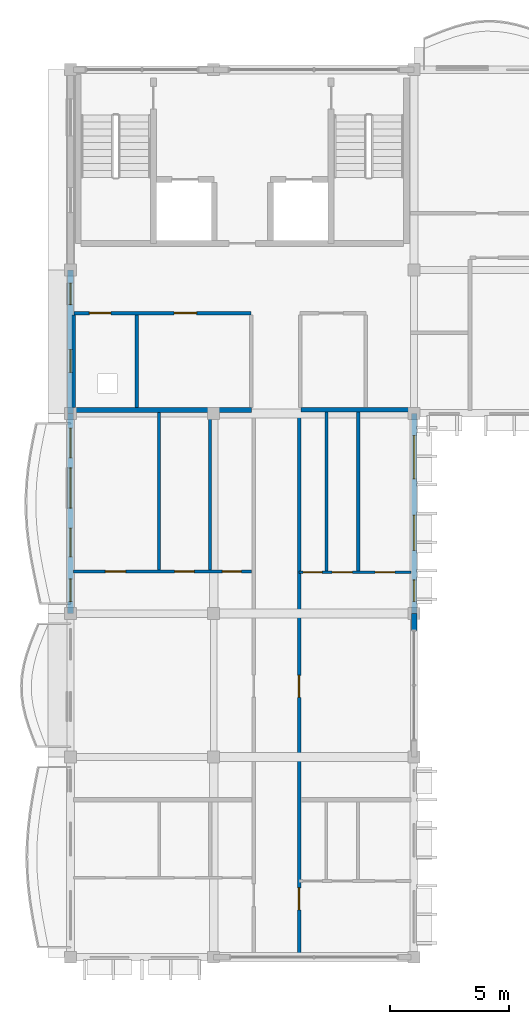
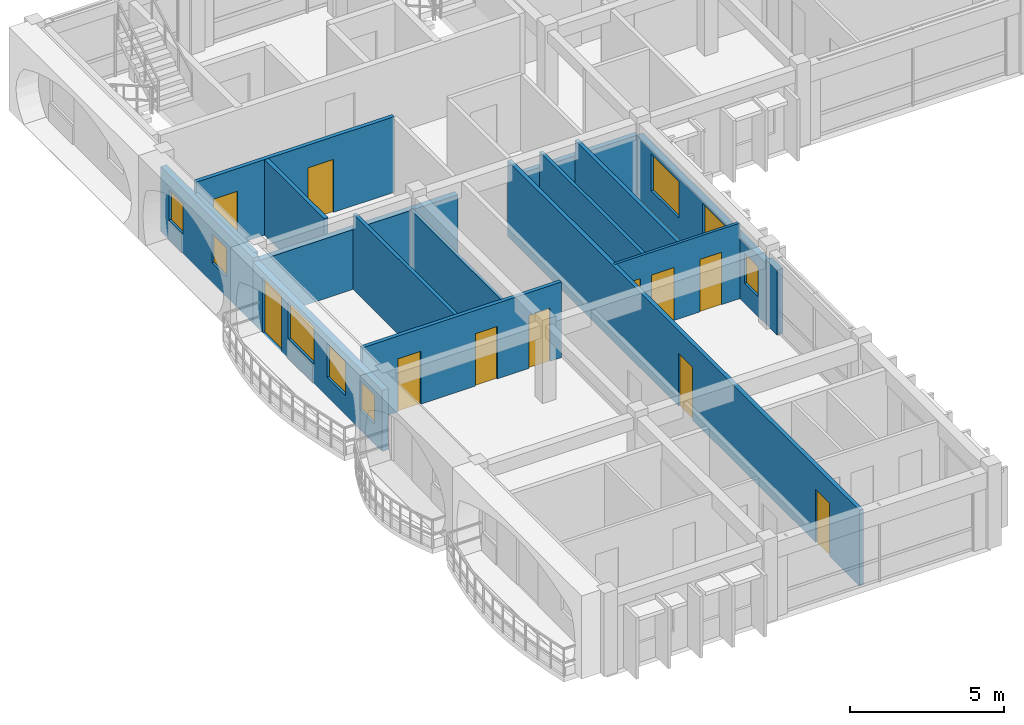
# One storey, part 5 of 10: 16 walls, 11 doors, 8 windows, 19 openings.
"""IFC4 building model written with IfcOpenShell, lengths in metres."""

from ifc_helpers import new_model, si_unit, direction, frame, frame_2d, origin, place, context, subcontext, project, spatial, rectangle, extrude, material, layer, layer_set, type_object, element, fill, save


model = new_model("IFC4")

# Units and contexts
model_context = context("Model", 3, precision=1e-05, world=origin(), true_north=direction((0.0, 1.0)))
body_context = subcontext(model_context, "Body", "Model", "MODEL_VIEW")
ifc_project = project(units=[si_unit("LENGTHUNIT", "METRE"), si_unit("AREAUNIT", "SQUARE_METRE"), si_unit("VOLUMEUNIT", "CUBIC_METRE"), si_unit("PLANEANGLEUNIT", "RADIAN"), si_unit("MASSUNIT", "GRAM", prefix="KILO"), si_unit("THERMODYNAMICTEMPERATUREUNIT", "KELVIN")], contexts=[model_context])

# Site, building, storey
site_placement = place(None, origin())
site = spatial("IfcSite", under=ifc_project, at=site_placement, CompositionType="ELEMENT")
building_placement = place(site_placement, origin())
building = spatial("IfcBuilding", under=site, at=building_placement, Name="Thalorik Housing Commons", CompositionType="ELEMENT")
storey_placement = place(building_placement, frame((0.0, 0.0, 44.39990234375)))
storey = spatial("IfcBuildingStorey", under=building, at=storey_placement, Name="L13", CompositionType="ELEMENT", Elevation=44.39990234375)

# Wall, openings, doors
ifc_material_1 = material(Name="Masonry fire-rated corridor wall", Category="masonry")
ifc_layer_1 = layer(ifc_material_1, 0.14990234375, Name="Masonry fire-rated corridor wall", Category="masonry")
ifc_layer_set_1 = layer_set([ifc_layer_1], Name="Masonry fire-rated corridor wall")
wall_type_1 = type_object("IfcWallType", Name="ARC-WAL-CORR-150", PredefinedType="PARTITIONING", material=ifc_layer_set_1)
wall_1_placement = place(storey_placement, frame((17.97998046875, 86.4599609375, 0.0), z_axis=(0.0, 0.0, 1.0), x_axis=(0.0, 1.0, 0.0)))
wall_1 = element("IfcWall", 1, at=wall_1_placement, inside=storey, type_object=wall_type_1, Name="L13 Block A W Corridor Wall 2", PredefinedType="PARTITIONING", context=body_context, shape_type="SweptSolid", body=[
    extrude(rectangle(XDim=22.880126953125, YDim=0.14990234375, at=frame_2d((11.43994140625, 0.0))), origin(), (0.0, 0.0, 1.0), 3.0),
])
opening_1_placement = place(wall_1_placement, frame((1.92919921875, 0.0, 0.0)))
opening_1 = element("IfcOpeningElement", 2, at=opening_1_placement, cuts=wall_1, Name="Opening ID-0947", PredefinedType="OPENING", context=body_context, shape_type="SweptSolid", body=[
    extrude(rectangle(XDim=0.919921875, YDim=2.10009765625, at=frame_2d((0.4599609375, 1.050048828125))), frame((0.0, 0.0849609375, 0.0), z_axis=(0.0, -1.0, 0.0), x_axis=(1.0, 0.0, 0.0)), (0.0, 0.0, 1.0), 0.169921875),
])
opening_2_placement = place(wall_1_placement, frame((10.83154296875, 0.0, 0.0)))
opening_2 = element("IfcOpeningElement", 3, at=opening_2_placement, cuts=wall_1, Name="Opening ID-0948", PredefinedType="OPENING", context=body_context, shape_type="SweptSolid", body=[
    extrude(rectangle(XDim=0.919921875, YDim=2.10009765625, at=frame_2d((0.4599609375, 1.050048828125))), frame((0.0, 0.0849609375, 0.0), z_axis=(0.0, -1.0, 0.0), x_axis=(1.0, 0.0, 0.0)), (0.0, 0.0, 1.0), 0.169921875),
])
ifc_material_2 = material(Name="Solid core hardwood timber", Category="wood")
door_type_1 = type_object("IfcDoorType", Name="ARC-DR-FD30-920", OperationType="NOTDEFINED", PredefinedType="DOOR", material=ifc_material_2)
door_1_placement = place(opening_1_placement, origin())
door_1 = element("IfcDoor", 4, at=door_1_placement, inside=storey, type_object=door_type_1, Name="L13 Flat AW-1B Entrance Door", OperationType="SINGLE_SWING_RIGHT", OverallHeight=2.10009765625, OverallWidth=0.919921875, PredefinedType="DOOR", context=body_context, shape_type="SweptSolid", body=[
    extrude(rectangle(XDim=0.919921875, YDim=2.10009765625, at=frame_2d((0.4599609375, 1.050048828125))), frame((0.0, 0.02490234375, 0.0), z_axis=(0.0, -1.0, 0.0), x_axis=(1.0, 0.0, 0.0)), (0.0, 0.0, 1.0), 0.050048828125),
])
fill(opening_1, door_1)
door_2_placement = place(opening_2_placement, origin())
door_2 = element("IfcDoor", 5, at=door_2_placement, inside=storey, type_object=door_type_1, Name="L13 Flat AW-2B Entrance Door", OperationType="SINGLE_SWING_LEFT", OverallHeight=2.10009765625, OverallWidth=0.919921875, PredefinedType="DOOR", context=body_context, shape_type="SweptSolid", body=[
    extrude(rectangle(XDim=0.919921875, YDim=2.10009765625, at=frame_2d((0.4599609375, 1.050048828125))), frame((0.0, 0.02490234375, 0.0), z_axis=(0.0, -1.0, 0.0), x_axis=(1.0, 0.0, 0.0)), (0.0, 0.0, 1.0), 0.050048828125),
])
fill(opening_2, door_2)

# Wall, openings, windows
ifc_material_3 = material(Name="White precast concrete C40/50", Category="concrete")
ifc_layer_2 = layer(ifc_material_3, 0.235107421875, Name="White precast concrete C40/50", Category="concrete")
ifc_layer_set_2 = layer_set([ifc_layer_2], Name="White precast concrete C40/50")
wall_type_2 = type_object("IfcWallType", Name="ARC-WAL-EXT-235", PredefinedType="STANDARD", material=ifc_layer_set_2)
wall_2_placement = place(storey_placement, frame((8.39990234375, 115.199951171875, 0.0), z_axis=(0.0, 0.0, 1.0), x_axis=(0.0, -1.0, 0.0)))
wall_2 = element("IfcWall", 6, at=wall_2_placement, inside=storey, type_object=wall_type_2, Name="L13 Exterior Wall WAL-EXT-L13-A-0324", PredefinedType="STANDARD", context=body_context, shape_type="SweptSolid", body=[
    extrude(rectangle(XDim=6.0, YDim=0.235107421875, at=frame_2d((3.0, 0.0))), origin(), (0.0, 0.0, 1.0), 2.5751953125),
])
opening_3_placement = place(wall_2_placement, frame((0.544921875, 0.0, 0.780029296875)))
opening_3 = element("IfcOpeningElement", 7, at=opening_3_placement, cuts=wall_2, Name="Opening W-01", PredefinedType="OPENING", context=body_context, shape_type="SweptSolid", body=[
    extrude(rectangle(XDim=0.89990234375, YDim=1.199951171875, at=frame_2d((0.449951171875, 0.60009765625))), frame((0.0, 0.12744140625, 0.0), z_axis=(0.0, -1.0, 0.0), x_axis=(1.0, 0.0, 0.0)), (0.0, 0.0, 1.0), 0.255126953125),
])
opening_4_placement = place(wall_2_placement, frame((3.330078125, 0.0, 0.780029296875)))
opening_4 = element("IfcOpeningElement", 8, at=opening_4_placement, cuts=wall_2, Name="Opening W-43", PredefinedType="OPENING", context=body_context, shape_type="SweptSolid", body=[
    extrude(rectangle(XDim=0.949951171875, YDim=1.14990234375, at=frame_2d((0.47509765625, 0.574951171875))), frame((0.0, 0.12744140625, 0.0), z_axis=(0.0, -1.0, 0.0), x_axis=(1.0, 0.0, 0.0)), (0.0, 0.0, 1.0), 0.255126953125),
])
ifc_material_4 = material(Name="Anodised aluminium and solar-control low-E glass", Category="aluminium")
window_type_1 = type_object("IfcWindowType", Name="ARC-WIN-01", PartitioningType="SINGLE_PANEL", PredefinedType="WINDOW", material=ifc_material_4)
window_1_placement = place(opening_3_placement, origin())
window_1 = element("IfcWindow", 9, at=window_1_placement, inside=storey, type_object=window_type_1, Name="L13 Facade Window 578", OverallHeight=1.199951171875, OverallWidth=0.89990234375, PartitioningType="SINGLE_PANEL", PredefinedType="WINDOW", context=body_context, shape_type="SweptSolid", body=[
    extrude(rectangle(XDim=0.89990234375, YDim=1.199951171875, at=frame_2d((0.449951171875, 0.60009765625))), frame((0.0, 0.030029296875, 0.0), z_axis=(0.0, -1.0, 0.0), x_axis=(1.0, 0.0, 0.0)), (0.0, 0.0, 1.0), 0.06005859375),
])
fill(opening_3, window_1)
window_type_2 = type_object("IfcWindowType", Name="ARC-WIN-43", PartitioningType="SINGLE_PANEL", PredefinedType="WINDOW", material=ifc_material_4)
window_2_placement = place(opening_4_placement, origin())
window_2 = element("IfcWindow", 10, at=window_2_placement, inside=storey, type_object=window_type_2, Name="L13 Facade Window 579", OverallHeight=1.14990234375, OverallWidth=0.949951171875, PartitioningType="SINGLE_PANEL", PredefinedType="WINDOW", context=body_context, shape_type="SweptSolid", body=[
    extrude(rectangle(XDim=0.949951171875, YDim=1.14990234375, at=frame_2d((0.47509765625, 0.574951171875))), frame((0.0, 0.030029296875, 0.0), z_axis=(0.0, -1.0, 0.0), x_axis=(1.0, 0.0, 0.0)), (0.0, 0.0, 1.0), 0.06005859375),
])
fill(opening_4, window_2)

# Wall, openings, door, windows
wall_3_placement = place(storey_placement, frame((8.39990234375, 109.199951171875, 0.0), z_axis=(0.0, 0.0, 1.0), x_axis=(0.0, -1.0, 0.0)))
wall_3 = element("IfcWall", 11, at=wall_3_placement, inside=storey, type_object=wall_type_2, Name="L13 Exterior Wall WAL-EXT-L13-A-0325", PredefinedType="STANDARD", context=body_context, shape_type="SweptSolid", body=[
    extrude(rectangle(XDim=8.39990234375, YDim=0.235107421875, at=frame_2d((4.199951171875, 0.0))), origin(), (0.0, 0.0, 1.0), 2.425048828125),
])
opening_5_placement = place(wall_3_placement, frame((0.6201171875, 0.0, 0.0)))
opening_5 = element("IfcOpeningElement", 12, at=opening_5_placement, cuts=wall_3, Name="Opening ED-0103", PredefinedType="OPENING", context=body_context, shape_type="SweptSolid", body=[
    extrude(rectangle(XDim=1.25, YDim=2.199951171875, at=frame_2d((0.625, 1.10009765625))), frame((0.0, 0.12744140625, 0.0), z_axis=(0.0, -1.0, 0.0), x_axis=(1.0, 0.0, 0.0)), (0.0, 0.0, 1.0), 0.255126953125),
])
opening_6_placement = place(wall_3_placement, frame((2.29248046875, 0.0, 0.780029296875)))
opening_6 = element("IfcOpeningElement", 13, at=opening_6_placement, cuts=wall_3, Name="Opening W-55", PredefinedType="OPENING", context=body_context, shape_type="SweptSolid", body=[
    extrude(rectangle(XDim=1.679931640625, YDim=1.4599609375, at=frame_2d((0.83984375, 0.72998046875))), frame((0.0, 0.12744140625, 0.0), z_axis=(0.0, -1.0, 0.0), x_axis=(1.0, 0.0, 0.0)), (0.0, 0.0, 1.0), 0.255126953125),
])
opening_7_placement = place(wall_3_placement, frame((4.8173828125, 0.0, 0.780029296875)))
opening_7 = element("IfcOpeningElement", 14, at=opening_7_placement, cuts=wall_3, Name="Opening W-04", PredefinedType="OPENING", context=body_context, shape_type="SweptSolid", body=[
    extrude(rectangle(XDim=1.199951171875, YDim=1.35009765625, at=frame_2d((0.60009765625, 0.675048828125))), frame((0.0, 0.12744140625, 0.0), z_axis=(0.0, -1.0, 0.0), x_axis=(1.0, 0.0, 0.0)), (0.0, 0.0, 1.0), 0.255126953125),
])
opening_8_placement = place(wall_3_placement, frame((6.945068359375, 0.0, 0.780029296875)))
opening_8 = element("IfcOpeningElement", 15, at=opening_8_placement, cuts=wall_3, Name="Opening W-43", PredefinedType="OPENING", context=body_context, shape_type="SweptSolid", body=[
    extrude(rectangle(XDim=0.949951171875, YDim=1.14990234375, at=frame_2d((0.47509765625, 0.574951171875))), frame((0.0, 0.12744140625, 0.0), z_axis=(0.0, -1.0, 0.0), x_axis=(1.0, 0.0, 0.0)), (0.0, 0.0, 1.0), 0.255126953125),
])
ifc_material_5 = material(Name="Anodised aluminium and laminated safety glass", Category="aluminium")
door_type_2 = type_object("IfcDoorType", Name="ARC-DR-BAL-1250", OperationType="NOTDEFINED", PredefinedType="DOOR", material=ifc_material_5)
door_3_placement = place(opening_5_placement, frame((1.25, 0.0, 0.0), z_axis=(0.0, 0.0, 1.0), x_axis=(-1.0, 0.0, 0.0)))
door_3 = element("IfcDoor", 16, at=door_3_placement, inside=storey, type_object=door_type_2, Name="L13 Block A Balcony Glazed Door", OperationType="SINGLE_SWING_RIGHT", OverallHeight=2.199951171875, OverallWidth=1.25, PredefinedType="DOOR", context=body_context, shape_type="SweptSolid", body=[
    extrude(rectangle(XDim=1.25, YDim=2.199951171875, at=frame_2d((0.625, 1.10009765625))), frame((0.0, 0.02490234375, 0.0), z_axis=(0.0, -1.0, 0.0), x_axis=(1.0, 0.0, 0.0)), (0.0, 0.0, 1.0), 0.050048828125),
])
fill(opening_5, door_3)
window_type_3 = type_object("IfcWindowType", Name="ARC-WIN-04", PartitioningType="SINGLE_PANEL", PredefinedType="WINDOW", material=ifc_material_4)
window_3_placement = place(opening_7_placement, origin())
window_3 = element("IfcWindow", 17, at=window_3_placement, inside=storey, type_object=window_type_3, Name="L13 Facade Window 581", OverallHeight=1.35009765625, OverallWidth=1.199951171875, PartitioningType="SINGLE_PANEL", PredefinedType="WINDOW", context=body_context, shape_type="SweptSolid", body=[
    extrude(rectangle(XDim=1.199951171875, YDim=1.35009765625, at=frame_2d((0.60009765625, 0.675048828125))), frame((0.0, 0.030029296875, 0.0), z_axis=(0.0, -1.0, 0.0), x_axis=(1.0, 0.0, 0.0)), (0.0, 0.0, 1.0), 0.06005859375),
])
fill(opening_7, window_3)
window_4_placement = place(opening_8_placement, origin())
window_4 = element("IfcWindow", 18, at=window_4_placement, inside=storey, type_object=window_type_2, Name="L13 Facade Window 582", OverallHeight=1.14990234375, OverallWidth=0.949951171875, PartitioningType="SINGLE_PANEL", PredefinedType="WINDOW", context=body_context, shape_type="SweptSolid", body=[
    extrude(rectangle(XDim=0.949951171875, YDim=1.14990234375, at=frame_2d((0.47509765625, 0.574951171875))), frame((0.0, 0.030029296875, 0.0), z_axis=(0.0, -1.0, 0.0), x_axis=(1.0, 0.0, 0.0)), (0.0, 0.0, 1.0), 0.06005859375),
])
fill(opening_8, window_4)
window_type_4 = type_object("IfcWindowType", Name="ARC-WIN-55", PartitioningType="DOUBLE_PANEL_VERTICAL", PredefinedType="WINDOW", material=ifc_material_4)
window_5_placement = place(opening_6_placement, origin())
window_5 = element("IfcWindow", 19, at=window_5_placement, inside=storey, type_object=window_type_4, Name="L13 Facade Window 580", OverallHeight=1.4599609375, OverallWidth=1.679931640625, PartitioningType="DOUBLE_PANEL_VERTICAL", PredefinedType="WINDOW", context=body_context, shape_type="SweptSolid", body=[
    extrude(rectangle(XDim=1.679931640625, YDim=1.4599609375, at=frame_2d((0.83984375, 0.72998046875))), frame((0.0, 0.030029296875, 0.0), z_axis=(0.0, -1.0, 0.0), x_axis=(1.0, 0.0, 0.0)), (0.0, 0.0, 1.0), 0.06005859375),
])
fill(opening_6, window_5)

# Wall
wall_4_placement = place(storey_placement, frame((22.800048828125, 100.10009765625, 0.0), z_axis=(0.0, 0.0, 1.0), x_axis=(0.0, 1.0, 0.0)))
element("IfcWall", 20, at=wall_4_placement, inside=storey, type_object=wall_type_2, Name="L13 Exterior Wall WAL-PIERR-L13-A-0331", PredefinedType="STANDARD", context=body_context, shape_type="SweptSolid", body=[
    extrude(rectangle(XDim=0.699951171875, YDim=0.235107421875, at=frame_2d((0.35009765625, 0.0))), origin(), (0.0, 0.0, 1.0), 2.5751953125),
])

# Wall, openings, windows
wall_5_placement = place(storey_placement, frame((22.800048828125, 100.800048828125, 0.0), z_axis=(0.0, 0.0, 1.0), x_axis=(0.0, 1.0, 0.0)))
wall_5 = element("IfcWall", 21, at=wall_5_placement, inside=storey, type_object=wall_type_2, Name="L13 Exterior Wall WAL-EXT-L13-A-0332", PredefinedType="STANDARD", context=body_context, shape_type="SweptSolid", body=[
    extrude(rectangle(XDim=8.39990234375, YDim=0.235107421875, at=frame_2d((4.199951171875, 0.0))), origin(), (0.0, 0.0, 1.0), 2.425048828125),
])
opening_9_placement = place(wall_5_placement, frame((0.5166015625, 0.0, 0.780029296875)))
opening_9 = element("IfcOpeningElement", 22, at=opening_9_placement, cuts=wall_5, Name="Opening W-01", PredefinedType="OPENING", context=body_context, shape_type="SweptSolid", body=[
    extrude(rectangle(XDim=0.89990234375, YDim=1.199951171875, at=frame_2d((0.449951171875, 0.60009765625))), frame((0.0, 0.12744140625, 0.0), z_axis=(0.0, -1.0, 0.0), x_axis=(1.0, 0.0, 0.0)), (0.0, 0.0, 1.0), 0.255126953125),
])
opening_10_placement = place(wall_5_placement, frame((2.65478515625, 0.0, 0.780029296875)))
opening_10 = element("IfcOpeningElement", 23, at=opening_10_placement, cuts=wall_5, Name="Opening W-51", PredefinedType="OPENING", context=body_context, shape_type="SweptSolid", body=[
    extrude(rectangle(XDim=1.47998046875, YDim=1.52001953125, at=frame_2d((0.739990234375, 0.760009765625))), frame((0.0, 0.12744140625, 0.0), z_axis=(0.0, -1.0, 0.0), x_axis=(1.0, 0.0, 0.0)), (0.0, 0.0, 1.0), 0.255126953125),
])
opening_11_placement = place(wall_5_placement, frame((5.648193359375, 0.0, 0.780029296875)))
opening_11 = element("IfcOpeningElement", 24, at=opening_11_placement, cuts=wall_5, Name="Opening W-58", PredefinedType="OPENING", context=body_context, shape_type="SweptSolid", body=[
    extrude(rectangle(XDim=1.820068359375, YDim=1.4599609375, at=frame_2d((0.91015625, 0.72998046875))), frame((0.0, 0.12744140625, 0.0), z_axis=(0.0, -1.0, 0.0), x_axis=(1.0, 0.0, 0.0)), (0.0, 0.0, 1.0), 0.255126953125),
])
window_6_placement = place(opening_9_placement, origin())
window_6 = element("IfcWindow", 25, at=window_6_placement, inside=storey, type_object=window_type_1, Name="L13 Facade Window 591", OverallHeight=1.199951171875, OverallWidth=0.89990234375, PartitioningType="SINGLE_PANEL", PredefinedType="WINDOW", context=body_context, shape_type="SweptSolid", body=[
    extrude(rectangle(XDim=0.89990234375, YDim=1.199951171875, at=frame_2d((0.449951171875, 0.60009765625))), frame((0.0, 0.030029296875, 0.0), z_axis=(0.0, -1.0, 0.0), x_axis=(1.0, 0.0, 0.0)), (0.0, 0.0, 1.0), 0.06005859375),
])
fill(opening_9, window_6)
window_type_5 = type_object("IfcWindowType", Name="ARC-WIN-51", PartitioningType="SINGLE_PANEL", PredefinedType="WINDOW", material=ifc_material_4)
window_7_placement = place(opening_10_placement, origin())
window_7 = element("IfcWindow", 26, at=window_7_placement, inside=storey, type_object=window_type_5, Name="L13 Facade Window 592", OverallHeight=1.52001953125, OverallWidth=1.47998046875, PartitioningType="SINGLE_PANEL", PredefinedType="WINDOW", context=body_context, shape_type="SweptSolid", body=[
    extrude(rectangle(XDim=1.47998046875, YDim=1.52001953125, at=frame_2d((0.739990234375, 0.760009765625))), frame((0.0, 0.030029296875, 0.0), z_axis=(0.0, -1.0, 0.0), x_axis=(1.0, 0.0, 0.0)), (0.0, 0.0, 1.0), 0.06005859375),
])
fill(opening_10, window_7)
window_type_6 = type_object("IfcWindowType", Name="ARC-WIN-58", PartitioningType="DOUBLE_PANEL_VERTICAL", PredefinedType="WINDOW", material=ifc_material_4)
window_8_placement = place(opening_11_placement, origin())
window_8 = element("IfcWindow", 27, at=window_8_placement, inside=storey, type_object=window_type_6, Name="L13 Facade Window 593", OverallHeight=1.4599609375, OverallWidth=1.820068359375, PartitioningType="DOUBLE_PANEL_VERTICAL", PredefinedType="WINDOW", context=body_context, shape_type="SweptSolid", body=[
    extrude(rectangle(XDim=1.820068359375, YDim=1.4599609375, at=frame_2d((0.91015625, 0.72998046875))), frame((0.0, 0.030029296875, 0.0), z_axis=(0.0, -1.0, 0.0), x_axis=(1.0, 0.0, 0.0)), (0.0, 0.0, 1.0), 0.06005859375),
])
fill(opening_11, window_8)

# Wall, openings, doors
ifc_material_6 = material(Name="Gypsum light stud partition", Category="masonry")
ifc_layer_3 = layer(ifc_material_6, 0.10009765625, Name="Gypsum light stud partition", Category="masonry")
ifc_layer_set_3 = layer_set([ifc_layer_3], Name="Gypsum light stud partition")
wall_type_3 = type_object("IfcWallType", Name="ARC-WAL-PART-100", PredefinedType="PARTITIONING", material=ifc_layer_set_3)
wall_6_placement = place(storey_placement, frame((17.97998046875, 102.543212890625, 0.0), z_axis=(0.0, 0.0, 1.0), x_axis=(1.0, 0.0, 0.0)))
wall_6 = element("IfcWall", 28, at=wall_6_placement, inside=storey, type_object=wall_type_3, Name="L13 Unit 2B Spine Partition", PredefinedType="PARTITIONING", context=body_context, shape_type="SweptSolid", body=[
    extrude(rectangle(XDim=4.700439453125, YDim=0.10009765625, at=frame_2d((2.35009765625, 0.0))), origin(), (0.0, 0.0, 1.0), 3.0),
])
opening_12_placement = place(wall_6_placement, frame((0.171142578125, 0.0, 0.0)))
opening_12 = element("IfcOpeningElement", 29, at=opening_12_placement, cuts=wall_6, Name="Opening ID-0942", PredefinedType="OPENING", context=body_context, shape_type="SweptSolid", body=[
    extrude(rectangle(XDim=0.800048828125, YDim=2.10009765625, at=frame_2d((0.39990234375, 1.050048828125))), frame((0.0, 0.06005859375, 0.0), z_axis=(0.0, -1.0, 0.0), x_axis=(1.0, 0.0, 0.0)), (0.0, 0.0, 1.0), 0.1201171875),
])
opening_13_placement = place(wall_6_placement, frame((1.3837890625, 0.0, 0.0)))
opening_13 = element("IfcOpeningElement", 30, at=opening_13_placement, cuts=wall_6, Name="Opening ID-0943", PredefinedType="OPENING", context=body_context, shape_type="SweptSolid", body=[
    extrude(rectangle(XDim=0.85009765625, YDim=2.10009765625, at=frame_2d((0.425048828125, 1.050048828125))), frame((0.0, 0.06005859375, 0.0), z_axis=(0.0, -1.0, 0.0), x_axis=(1.0, 0.0, 0.0)), (0.0, 0.0, 1.0), 0.1201171875),
])
opening_14_placement = place(wall_6_placement, frame((3.192626953125, 0.0, 0.0)))
opening_14 = element("IfcOpeningElement", 31, at=opening_14_placement, cuts=wall_6, Name="Opening ID-0944", PredefinedType="OPENING", context=body_context, shape_type="SweptSolid", body=[
    extrude(rectangle(XDim=0.820068359375, YDim=2.080078125, at=frame_2d((0.41015625, 1.0400390625))), frame((0.0, 0.06005859375, 0.0), z_axis=(0.0, -1.0, 0.0), x_axis=(1.0, 0.0, 0.0)), (0.0, 0.0, 1.0), 0.1201171875),
])
ifc_material_7 = material(Name="Moisture-resistant timber", Category="wood")
door_type_3 = type_object("IfcDoorType", Name="ARC-DR-INT-800", OperationType="NOTDEFINED", PredefinedType="DOOR", material=ifc_material_7)
door_4_placement = place(opening_12_placement, origin())
door_4 = element("IfcDoor", 32, at=door_4_placement, inside=storey, type_object=door_type_3, Name="L13 Flat Bathroom Door", OperationType="SINGLE_SWING_LEFT", OverallHeight=2.10009765625, OverallWidth=0.800048828125, PredefinedType="DOOR", context=body_context, shape_type="SweptSolid", body=[
    extrude(rectangle(XDim=0.800048828125, YDim=2.10009765625, at=frame_2d((0.39990234375, 1.050048828125))), frame((0.0, 0.02490234375, 0.0), z_axis=(0.0, -1.0, 0.0), x_axis=(1.0, 0.0, 0.0)), (0.0, 0.0, 1.0), 0.050048828125),
])
fill(opening_12, door_4)
ifc_material_8 = material(Name="Engineered oak timber", Category="wood")
door_type_4 = type_object("IfcDoorType", Name="ARC-DR-INT-820", OperationType="NOTDEFINED", PredefinedType="DOOR", material=ifc_material_8)
door_5_placement = place(opening_14_placement, origin())
door_5 = element("IfcDoor", 33, at=door_5_placement, inside=storey, type_object=door_type_4, Name="L13 Double Bedroom Door", OperationType="SINGLE_SWING_LEFT", OverallHeight=2.080078125, OverallWidth=0.820068359375, PredefinedType="DOOR", context=body_context, shape_type="SweptSolid", body=[
    extrude(rectangle(XDim=0.820068359375, YDim=2.080078125, at=frame_2d((0.41015625, 1.0400390625))), frame((0.0, 0.02490234375, 0.0), z_axis=(0.0, -1.0, 0.0), x_axis=(1.0, 0.0, 0.0)), (0.0, 0.0, 1.0), 0.050048828125),
])
fill(opening_14, door_5)
door_type_5 = type_object("IfcDoorType", Name="ARC-DR-INT-850", OperationType="NOTDEFINED", PredefinedType="DOOR", material=ifc_material_8)
door_6_placement = place(opening_13_placement, origin())
door_6 = element("IfcDoor", 34, at=door_6_placement, inside=storey, type_object=door_type_5, Name="L13 Galley Kitchen Door", OperationType="SINGLE_SWING_RIGHT", OverallHeight=2.10009765625, OverallWidth=0.85009765625, PredefinedType="DOOR", context=body_context, shape_type="SweptSolid", body=[
    extrude(rectangle(XDim=0.85009765625, YDim=2.10009765625, at=frame_2d((0.425048828125, 1.050048828125))), frame((0.0, 0.02490234375, 0.0), z_axis=(0.0, -1.0, 0.0), x_axis=(1.0, 0.0, 0.0)), (0.0, 0.0, 1.0), 0.050048828125),
])
fill(opening_13, door_6)

# Walls
ifc_material_9 = material(Name="Gypsum moisture-resistant partition", Category="masonry")
ifc_layer_4 = layer(ifc_material_9, 0.114990234375, Name="Gypsum moisture-resistant partition", Category="masonry")
ifc_layer_set_4 = layer_set([ifc_layer_4], Name="Gypsum moisture-resistant partition")
wall_type_4 = type_object("IfcWallType", Name="ARC-WAL-PART-115", PredefinedType="PARTITIONING", material=ifc_layer_set_4)
wall_7_placement = place(storey_placement, frame((14.251220703125, 102.64208984375, 0.0), z_axis=(0.0, 0.0, 1.0), x_axis=(0.0, 1.0, 0.0)))
element("IfcWall", 35, at=wall_7_placement, inside=storey, type_object=wall_type_4, Name="L13 Unit 2 Wet Wall", PredefinedType="PARTITIONING", context=body_context, shape_type="SweptSolid", body=[
    extrude(rectangle(XDim=6.5859375, YDim=0.114990234375, at=frame_2d((3.29296875, 0.0))), origin(), (0.0, 0.0, 1.0), 2.425048828125),
])
ifc_material_10 = material(Name="Gypsum acoustic stud partition", Category="masonry")
ifc_layer_5 = layer(ifc_material_10, 0.125, Name="Gypsum acoustic stud partition", Category="masonry")
ifc_layer_set_5 = layer_set([ifc_layer_5], Name="Gypsum acoustic stud partition")
wall_type_5 = type_object("IfcWallType", Name="ARC-WAL-PART-125", PredefinedType="PARTITIONING", material=ifc_layer_set_5)
wall_8_placement = place(storey_placement, frame((12.11767578125, 102.64208984375, 0.0), z_axis=(0.0, 0.0, 1.0), x_axis=(0.0, 1.0, 0.0)))
element("IfcWall", 36, at=wall_8_placement, inside=storey, type_object=wall_type_5, Name="L13 Unit 2 Bedroom Partition", PredefinedType="PARTITIONING", context=body_context, shape_type="SweptSolid", body=[
    extrude(rectangle(XDim=6.5859375, YDim=0.125, at=frame_2d((3.29296875, 0.0))), origin(), (0.0, 0.0, 1.0), 3.0),
])
wall_9_placement = place(storey_placement, frame((19.122314453125, 102.59521484375, 0.0), z_axis=(0.0, 0.0, 1.0), x_axis=(0.0, 1.0, 0.0)))
element("IfcWall", 37, at=wall_9_placement, inside=storey, type_object=wall_type_5, Name="L13 Unit 2B Wet Wall", PredefinedType="PARTITIONING", context=body_context, shape_type="SweptSolid", body=[
    extrude(rectangle(XDim=6.650390625, YDim=0.125, at=frame_2d((3.3251953125, 0.0))), origin(), (0.0, 0.0, 1.0), 3.0),
])

# Wall, openings, doors
ifc_material_11 = material(Name="Ceramic masonry partition wall", Category="masonry")
ifc_layer_6 = layer(ifc_material_11, 0.139892578125, Name="Ceramic masonry partition wall", Category="masonry")
ifc_layer_set_6 = layer_set([ifc_layer_6], Name="Ceramic masonry partition wall")
wall_type_6 = type_object("IfcWallType", Name="ARC-WAL-PART-140", PredefinedType="PARTITIONING", material=ifc_layer_set_6)
wall_10_placement = place(storey_placement, frame((8.51953125, 102.570068359375, 0.0), z_axis=(0.0, 0.0, 1.0), x_axis=(1.0, 0.0, 0.0)))
wall_10 = element("IfcWall", 38, at=wall_10_placement, inside=storey, type_object=wall_type_6, Name="L13 Unit 2 Spine Partition", PredefinedType="PARTITIONING", context=body_context, shape_type="SweptSolid", body=[
    extrude(rectangle(XDim=7.47607421875, YDim=0.139892578125, at=frame_2d((3.738037109375, 0.0))), origin(), (0.0, 0.0, 1.0), 3.0),
])
opening_15_placement = place(wall_10_placement, frame((1.34423828125, 0.0, 0.0)))
opening_15 = element("IfcOpeningElement", 39, at=opening_15_placement, cuts=wall_10, Name="Opening ID-0939", PredefinedType="OPENING", context=body_context, shape_type="SweptSolid", body=[
    extrude(rectangle(XDim=0.85009765625, YDim=2.10009765625, at=frame_2d((0.425048828125, 1.050048828125))), frame((0.0, 0.080078125, 0.0), z_axis=(0.0, -1.0, 0.0), x_axis=(1.0, 0.0, 0.0)), (0.0, 0.0, 1.0), 0.159912109375),
])
opening_16_placement = place(wall_10_placement, frame((4.239990234375, 0.0, 0.0)))
opening_16 = element("IfcOpeningElement", 40, at=opening_16_placement, cuts=wall_10, Name="Opening ID-0940", PredefinedType="OPENING", context=body_context, shape_type="SweptSolid", body=[
    extrude(rectangle(XDim=0.820068359375, YDim=2.080078125, at=frame_2d((0.41015625, 1.0400390625))), frame((0.0, 0.080078125, 0.0), z_axis=(0.0, -1.0, 0.0), x_axis=(1.0, 0.0, 0.0)), (0.0, 0.0, 1.0), 0.159912109375),
])
opening_17_placement = place(wall_10_placement, frame((6.24609375, 0.0, 0.0)))
opening_17 = element("IfcOpeningElement", 41, at=opening_17_placement, cuts=wall_10, Name="Opening ID-0941", PredefinedType="OPENING", context=body_context, shape_type="SweptSolid", body=[
    extrude(rectangle(XDim=0.800048828125, YDim=2.10009765625, at=frame_2d((0.39990234375, 1.050048828125))), frame((0.0, 0.080078125, 0.0), z_axis=(0.0, -1.0, 0.0), x_axis=(1.0, 0.0, 0.0)), (0.0, 0.0, 1.0), 0.159912109375),
])
door_7_placement = place(opening_17_placement, origin())
door_7 = element("IfcDoor", 42, at=door_7_placement, inside=storey, type_object=door_type_3, Name="L13 Flat Bathroom Door", OperationType="SINGLE_SWING_RIGHT", OverallHeight=2.10009765625, OverallWidth=0.800048828125, PredefinedType="DOOR", context=body_context, shape_type="SweptSolid", body=[
    extrude(rectangle(XDim=0.800048828125, YDim=2.10009765625, at=frame_2d((0.39990234375, 1.050048828125))), frame((0.0, 0.02490234375, 0.0), z_axis=(0.0, -1.0, 0.0), x_axis=(1.0, 0.0, 0.0)), (0.0, 0.0, 1.0), 0.050048828125),
])
fill(opening_17, door_7)
door_8_placement = place(opening_16_placement, origin())
door_8 = element("IfcDoor", 43, at=door_8_placement, inside=storey, type_object=door_type_4, Name="L13 Eat-In Kitchen Door", OperationType="SINGLE_SWING_LEFT", OverallHeight=2.080078125, OverallWidth=0.820068359375, PredefinedType="DOOR", context=body_context, shape_type="SweptSolid", body=[
    extrude(rectangle(XDim=0.820068359375, YDim=2.080078125, at=frame_2d((0.41015625, 1.0400390625))), frame((0.0, 0.02490234375, 0.0), z_axis=(0.0, -1.0, 0.0), x_axis=(1.0, 0.0, 0.0)), (0.0, 0.0, 1.0), 0.050048828125),
])
fill(opening_16, door_8)
door_9_placement = place(opening_15_placement, origin())
door_9 = element("IfcDoor", 44, at=door_9_placement, inside=storey, type_object=door_type_5, Name="L13 Master Bedroom Door", OperationType="SINGLE_SWING_RIGHT", OverallHeight=2.10009765625, OverallWidth=0.85009765625, PredefinedType="DOOR", context=body_context, shape_type="SweptSolid", body=[
    extrude(rectangle(XDim=0.85009765625, YDim=2.10009765625, at=frame_2d((0.425048828125, 1.050048828125))), frame((0.0, 0.02490234375, 0.0), z_axis=(0.0, -1.0, 0.0), x_axis=(1.0, 0.0, 0.0)), (0.0, 0.0, 1.0), 0.050048828125),
])
fill(opening_15, door_9)

# Walls
wall_11_placement = place(storey_placement, frame((20.455078125, 102.59521484375, 0.0), z_axis=(0.0, 0.0, 1.0), x_axis=(0.0, 1.0, 0.0)))
element("IfcWall", 45, at=wall_11_placement, inside=storey, type_object=wall_type_6, Name="L13 Unit 2B Bedroom Partition", PredefinedType="PARTITIONING", context=body_context, shape_type="SweptSolid", body=[
    extrude(rectangle(XDim=6.650390625, YDim=0.139892578125, at=frame_2d((3.3251953125, 0.0))), origin(), (0.0, 0.0, 1.0), 3.0),
])
ifc_layer_7 = layer(ifc_material_11, 0.14794921875, Name="Ceramic masonry partition wall", Category="masonry")
ifc_layer_set_7 = layer_set([ifc_layer_7], Name="Ceramic masonry partition wall")
wall_type_7 = type_object("IfcWallType", Name="ARC-WAL-PART-150", PredefinedType="PARTITIONING", material=ifc_layer_set_7)
wall_12_placement = place(storey_placement, frame((8.5400390625, 113.323974609375, 0.0), z_axis=(0.0, 0.0, 1.0), x_axis=(0.0, -1.0, 0.0)))
element("IfcWall", 46, at=wall_12_placement, inside=storey, type_object=wall_type_7, Name="Core West Enclosing Wall", PredefinedType="PARTITIONING", context=body_context, shape_type="SweptSolid", body=[
    extrude(rectangle(XDim=3.8720703125, YDim=0.14794921875, at=frame_2d((1.93603515625, 0.0))), origin(), (0.0, 0.0, 1.0), 2.5751953125),
])
wall_13_placement = place(storey_placement, frame((11.175048828125, 113.323974609375, 0.0), z_axis=(0.0, 0.0, 1.0), x_axis=(0.0, -1.0, 0.0)))
element("IfcWall", 47, at=wall_13_placement, inside=storey, type_object=wall_type_7, Name="Riser Wall", PredefinedType="PARTITIONING", context=body_context, shape_type="SweptSolid", body=[
    extrude(rectangle(XDim=3.8720703125, YDim=0.14794921875, at=frame_2d((1.93603515625, 0.0))), origin(), (0.0, 0.0, 1.0), 3.0),
])

# Wall, openings, doors
wall_14_placement = place(storey_placement, frame((8.5400390625, 113.39990234375, 0.0), z_axis=(0.0, 0.0, 1.0), x_axis=(1.0, 0.0, 0.0)))
wall_14 = element("IfcWall", 48, at=wall_14_placement, inside=storey, type_object=wall_type_7, Name="L13 Core A West Corridor Partition", PredefinedType="PARTITIONING", context=body_context, shape_type="SweptSolid", body=[
    extrude(rectangle(XDim=7.43505859375, YDim=0.14794921875, at=frame_2d((3.717529296875, 0.0))), origin(), (0.0, 0.0, 1.0), 3.0),
])
opening_18_placement = place(wall_14_placement, frame((0.64990234375, 0.0, 0.0)))
opening_18 = element("IfcOpeningElement", 49, at=opening_18_placement, cuts=wall_14, Name="Opening ID-0118", PredefinedType="OPENING", context=body_context, shape_type="SweptSolid", body=[
    extrude(rectangle(XDim=0.89990234375, YDim=2.10009765625, at=frame_2d((0.449951171875, 1.050048828125))), frame((0.0, 0.083984375, 0.0), z_axis=(0.0, -1.0, 0.0), x_axis=(1.0, 0.0, 0.0)), (0.0, 0.0, 1.0), 0.16796875),
])
opening_19_placement = place(wall_14_placement, frame((4.199951171875, 0.0, 0.0)))
opening_19 = element("IfcOpeningElement", 50, at=opening_19_placement, cuts=wall_14, Name="Opening ID-0119", PredefinedType="OPENING", context=body_context, shape_type="SweptSolid", body=[
    extrude(rectangle(XDim=0.949951171875, YDim=2.10009765625, at=frame_2d((0.47509765625, 1.050048828125))), frame((0.0, 0.083984375, 0.0), z_axis=(0.0, -1.0, 0.0), x_axis=(1.0, 0.0, 0.0)), (0.0, 0.0, 1.0), 0.16796875),
])
ifc_material_12 = material(Name="Steel S355", Category="steel")
door_type_6 = type_object("IfcDoorType", Name="ARC-DR-FD60-900", OperationType="NOTDEFINED", PredefinedType="DOOR", material=ifc_material_12)
door_10_placement = place(opening_18_placement, origin())
door_10 = element("IfcDoor", 51, at=door_10_placement, inside=storey, type_object=door_type_6, Name="Electrical Riser Door", OperationType="SINGLE_SWING_LEFT", OverallHeight=2.10009765625, OverallWidth=0.89990234375, PredefinedType="DOOR", context=body_context, shape_type="SweptSolid", body=[
    extrude(rectangle(XDim=0.89990234375, YDim=2.10009765625, at=frame_2d((0.449951171875, 1.050048828125))), frame((0.0, 0.02490234375, 0.0), z_axis=(0.0, -1.0, 0.0), x_axis=(1.0, 0.0, 0.0)), (0.0, 0.0, 1.0), 0.050048828125),
])
fill(opening_18, door_10)
door_type_7 = type_object("IfcDoorType", Name="ARC-DR-INT-950", OperationType="NOTDEFINED", PredefinedType="DOOR", material=ifc_material_8)
door_11_placement = place(opening_19_placement, origin())
door_11 = element("IfcDoor", 52, at=door_11_placement, inside=storey, type_object=door_type_7, Name="Accessible Bathroom Door", OperationType="SINGLE_SWING_RIGHT", OverallHeight=2.10009765625, OverallWidth=0.949951171875, PredefinedType="DOOR", context=body_context, shape_type="SweptSolid", body=[
    extrude(rectangle(XDim=0.949951171875, YDim=2.10009765625, at=frame_2d((0.47509765625, 1.050048828125))), frame((0.0, 0.02490234375, 0.0), z_axis=(0.0, -1.0, 0.0), x_axis=(1.0, 0.0, 0.0)), (0.0, 0.0, 1.0), 0.050048828125),
])
fill(opening_19, door_11)

# Walls
ifc_material_13 = material(Name="Masonry acoustic blockwork wall", Category="masonry")
ifc_layer_8 = layer(ifc_material_13, 0.18505859375, Name="Masonry acoustic blockwork wall", Category="masonry")
ifc_layer_set_8 = layer_set([ifc_layer_8], Name="Masonry acoustic blockwork wall")
wall_type_8 = type_object("IfcWallType", Name="ARC-WAL-PARTY-185", PredefinedType="PARTITIONING", material=ifc_layer_set_8)
wall_15_placement = place(storey_placement, frame((18.056884765625, 109.340087890625, 0.0), z_axis=(0.0, 0.0, 1.0), x_axis=(1.0, 0.0, 0.0)))
element("IfcWall", 53, at=wall_15_placement, inside=storey, type_object=wall_type_8, Name="L13 Core End Wall B", PredefinedType="PARTITIONING", context=body_context, shape_type="SweptSolid", body=[
    extrude(rectangle(XDim=4.68310546875, YDim=0.18505859375, at=frame_2d((2.341552734375, 0.0))), origin(), (0.0, 0.0, 1.0), 2.375),
])
ifc_material_14 = material(Name="Precast concrete C40/50 acoustic wall", Category="concrete")
ifc_layer_9 = layer(ifc_material_14, 0.219970703125, Name="Precast concrete C40/50 acoustic wall", Category="concrete")
ifc_layer_set_9 = layer_set([ifc_layer_9], Name="Precast concrete C40/50 acoustic wall")
wall_type_9 = type_object("IfcWallType", Name="ARC-WAL-PARTY-220", PredefinedType="PARTITIONING", material=ifc_layer_set_9)
wall_16_placement = place(storey_placement, frame((8.51953125, 109.340087890625, 0.0), z_axis=(0.0, 0.0, 1.0), x_axis=(1.0, 0.0, 0.0)))
element("IfcWall", 54, at=wall_16_placement, inside=storey, type_object=wall_type_9, Name="L13 Core End Wall A", PredefinedType="PARTITIONING", context=body_context, shape_type="SweptSolid", body=[
    extrude(rectangle(XDim=7.47607421875, YDim=0.219970703125, at=frame_2d((3.738037109375, 0.0))), origin(), (0.0, 0.0, 1.0), 2.375),
])

save(model, "model.ifc")
